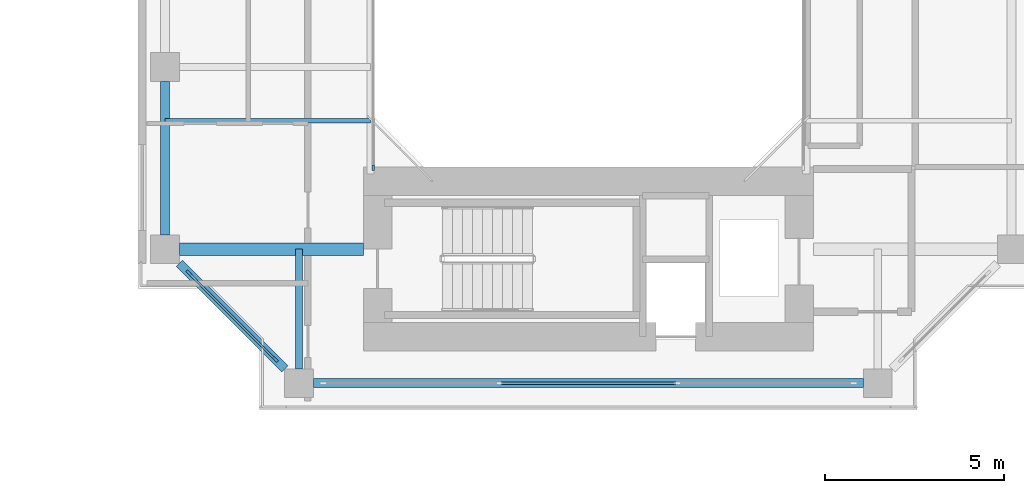
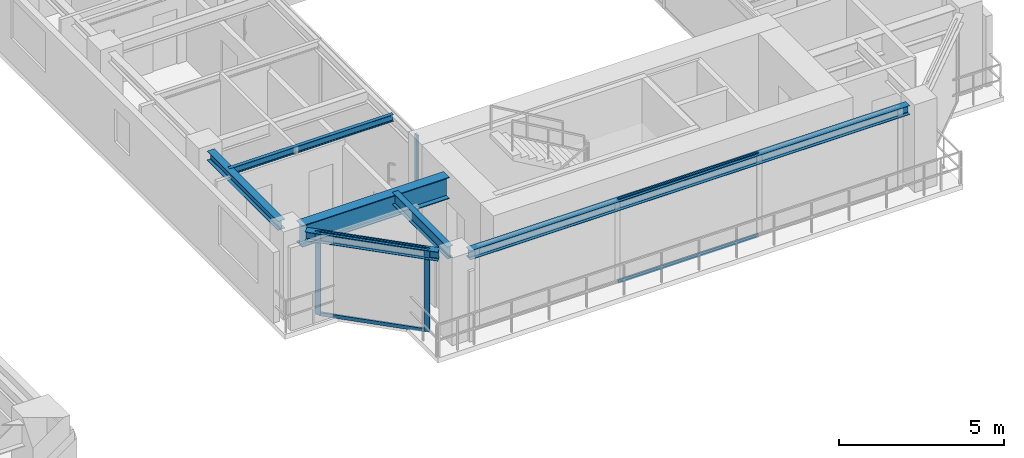
# One storey, part 6 of 23: 7 members, 6 beams, 3 elements without a shape of their own.
"""IFC4 building model written with IfcOpenShell, lengths in metres."""

from ifc_helpers import new_model, si_unit, direction, frame, origin, origin_2d, place, context, subcontext, project, spatial, rectangle, i_section, extrude, source, transform, mapped, material, layer, layer_set, material_profile, profile_set, type_object, element, aggregate, save


model = new_model("IFC4")

# Units and contexts
model_context = context("Model", 3, precision=1e-05, world=origin(), true_north=direction((0.0, 1.0)))
body_context = subcontext(model_context, "Body", "Model", "MODEL_VIEW")
ifc_project = project(units=[si_unit("LENGTHUNIT", "METRE"), si_unit("AREAUNIT", "SQUARE_METRE"), si_unit("VOLUMEUNIT", "CUBIC_METRE"), si_unit("PLANEANGLEUNIT", "RADIAN"), si_unit("MASSUNIT", "GRAM", prefix="KILO"), si_unit("THERMODYNAMICTEMPERATUREUNIT", "KELVIN"), si_unit("POWERUNIT", "WATT")], contexts=[model_context])

# Site, building, storey
site_placement = place(None, origin())
site = spatial("IfcSite", under=ifc_project, at=site_placement, CompositionType="ELEMENT")
building_placement = place(site_placement, origin())
building = spatial("IfcBuilding", under=site, at=building_placement, Name="Qiaomeng Ring Towers", CompositionType="ELEMENT")
storey_placement = place(building_placement, frame((0.0, 0.0, 86.0)))
storey = spatial("IfcBuildingStorey", under=building, at=storey_placement, Name="L24", CompositionType="ELEMENT", Elevation=86.0)

# Beams
ifc_material_1 = material(Name="Steel Q355B", Category="steel")
ifc_material_profile_1 = material_profile(ifc_material_1, i_section(OverallWidth=0.25, OverallDepth=0.340087890625, WebThickness=0.009033203125, FlangeThickness=0.013916015625, FilletRadius=0.02001953125, at=origin_2d()), Name="HM 340x250x9x14")
ifc_profile_set_1 = profile_set([ifc_material_profile_1], Name="Steel Q355B")
beam_type_1 = type_object("IfcBeamType", Name="STR-BM-HM340", PredefinedType="SPANDREL", material=ifc_profile_set_1)
shared_shape_1 = source(origin(), body_context, "Body", "SweptSolid", [
    extrude(i_section(OverallWidth=0.25, OverallDepth=0.340087890625, WebThickness=0.009033203125, FlangeThickness=0.013916015625, FilletRadius=0.02001953125, at=origin_2d()), origin(), (0.0, 0.0, 1.0), 15.40185546875),
])
beam_1_placement = place(storey_placement, frame((52.799072265625, 11.14990234375, 2.89990234375), z_axis=(1.0, 0.0, 0.0), x_axis=(0.0, 1.0, 0.0)))
element("IfcBeam", 1, at=beam_1_placement, inside=storey, type_object=beam_type_1, Name="L24 beam STR-SP-L24-T2-S1-S2", PredefinedType="SPANDREL", context=body_context, shape_type="MappedRepresentation", body=[
    mapped(shared_shape_1, transform((0.0, 0.0, 0.0), x_axis=(1.0, 0.0, 0.0), y_axis=(0.0, 1.0, 0.0), z_axis=(0.0, 0.0, 1.0), scale=1.0)),
])
shared_shape_2 = source(origin(), body_context, "Body", "SweptSolid", [
    extrude(i_section(OverallWidth=0.25, OverallDepth=0.340087890625, WebThickness=0.009033203125, FlangeThickness=0.013916015625, FilletRadius=0.02001953125, at=origin_2d()), origin(), (0.0, 0.0, 1.0), 4.173828125),
])
beam_2_placement = place(storey_placement, frame((49.04931640625, 14.500732421875, 2.89990234375), z_axis=(0.707106781187, -0.707106781187, 0.0), x_axis=(0.707106781187, 0.707106781187, 0.0)))
element("IfcBeam", 2, at=beam_2_placement, inside=storey, type_object=beam_type_1, Name="L24 beam STR-SP-L24-T2-W1-S1", PredefinedType="SPANDREL", context=body_context, shape_type="MappedRepresentation", body=[
    mapped(shared_shape_2, transform((0.0, 0.0, 0.0), x_axis=(1.0, 0.0, 0.0), y_axis=(0.0, 1.0, 0.0), z_axis=(0.0, 0.0, 1.0), scale=1.0)),
])
shared_shape_3 = source(origin(), body_context, "Body", "SweptSolid", [
    extrude(i_section(OverallWidth=0.25, OverallDepth=0.340087890625, WebThickness=0.009033203125, FlangeThickness=0.013916015625, FilletRadius=0.02001953125, at=origin_2d()), origin(), (0.0, 0.0, 1.0), 4.302001953125),
])
beam_3_placement = place(storey_placement, frame((48.64990234375, 19.60107421875, 2.89990234375), z_axis=(0.0, -1.0, 0.0), x_axis=(1.0, 0.0, 0.0)))
element("IfcBeam", 3, at=beam_3_placement, inside=storey, type_object=beam_type_1, Name="L24 beam STR-SP-L24-T2-W2-W1", PredefinedType="SPANDREL", context=body_context, shape_type="MappedRepresentation", body=[
    mapped(shared_shape_3, transform((0.0, 0.0, 0.0), x_axis=(1.0, 0.0, 0.0), y_axis=(0.0, 1.0, 0.0), z_axis=(0.0, 0.0, 1.0), scale=1.0)),
])
ifc_material_2 = material(Name="Steel Q390GJC", Category="steel")
ifc_material_profile_2 = material_profile(ifc_material_2, i_section(OverallWidth=0.35009765625, OverallDepth=0.800048828125, WebThickness=0.01611328125, FlangeThickness=0.028076171875, at=origin_2d()), Name="WH 800x350x16x28")
ifc_profile_set_2 = profile_set([ifc_material_profile_2], Name="Steel Q390GJC")
beam_type_2 = type_object("IfcBeamType", Name="STR-BM-WH800", PredefinedType="BEAM", material=ifc_profile_set_2)
shared_shape_4 = source(origin(), body_context, "Body", "SweptSolid", [
    extrude(i_section(OverallWidth=0.35009765625, OverallDepth=0.800048828125, WebThickness=0.01611328125, FlangeThickness=0.028076171875, at=origin_2d()), origin(), (0.0, 0.0, 1.0), 5.15087890625),
])
beam_4_placement = place(storey_placement, frame((49.049072265625, 14.89990234375, 2.669921875), z_axis=(1.0, 0.0, 0.0), x_axis=(0.0, 1.0, 0.0)))
element("IfcBeam", 4, at=beam_4_placement, inside=storey, type_object=beam_type_2, Name="L24 beam STR-BM-L24-T2-RAD-W1", PredefinedType="BEAM", context=body_context, shape_type="MappedRepresentation", body=[
    mapped(shared_shape_4, transform((0.0, 0.0, 0.0), x_axis=(1.0, 0.0, 0.0), y_axis=(0.0, 1.0, 0.0), z_axis=(0.0, 0.0, 1.0), scale=1.0)),
])
ifc_material_profile_3 = material_profile(ifc_material_1, i_section(OverallWidth=0.199951171875, OverallDepth=0.449951171875, WebThickness=0.009033203125, FlangeThickness=0.013916015625, FilletRadius=0.01806640625, at=origin_2d()), Name="HN 450x200x9x14")
ifc_profile_set_3 = profile_set([ifc_material_profile_3], Name="Steel Q355B")
beam_type_3 = type_object("IfcBeamType", Name="STR-BM-HN450", PredefinedType="SPANDREL", material=ifc_profile_set_3)
shared_shape_5 = source(origin(), body_context, "Body", "SweptSolid", [
    extrude(i_section(OverallWidth=0.199951171875, OverallDepth=0.449951171875, WebThickness=0.009033203125, FlangeThickness=0.013916015625, FilletRadius=0.01806640625, at=origin_2d()), origin(), (0.0, 0.0, 1.0), 3.350830078125),
])
beam_5_placement = place(storey_placement, frame((52.39990234375, 11.549072265625, 2.844970703125), z_axis=(0.0, 1.0, 0.0), x_axis=(-1.0, 0.0, 0.0)))
element("IfcBeam", 5, at=beam_5_placement, inside=storey, type_object=beam_type_3, Name="L24 beam STR-BM-L24-T2-RAD-S1", PredefinedType="SPANDREL", context=body_context, shape_type="MappedRepresentation", body=[
    mapped(shared_shape_5, transform((0.0, 0.0, 0.0), x_axis=(1.0, 0.0, 0.0), y_axis=(0.0, 1.0, 0.0), z_axis=(0.0, 0.0, 1.0), scale=1.0)),
])
ifc_material_profile_4 = material_profile(ifc_material_1, i_section(OverallWidth=0.125, OverallDepth=0.25, WebThickness=0.006103515625, FlangeThickness=0.009033203125, FilletRadius=0.011962890625, at=origin_2d()), Name="HN 250x125x6x9")
ifc_profile_set_4 = profile_set([ifc_material_profile_4], Name="Steel Q355B")
beam_type_4 = type_object("IfcBeamType", Name="STR-BM-HN250", PredefinedType="JOIST", material=ifc_profile_set_4)
shared_shape_6 = source(origin(), body_context, "Body", "SweptSolid", [
    extrude(i_section(OverallWidth=0.125, OverallDepth=0.25, WebThickness=0.006103515625, FlangeThickness=0.009033203125, FilletRadius=0.011962890625, at=origin_2d()), origin(), (0.0, 0.0, 1.0), 5.75),
])
beam_6_placement = place(storey_placement, frame((48.64990234375, 18.5, 2.945068359375), z_axis=(1.0, 0.0, 0.0), x_axis=(0.0, 1.0, 0.0)))
element("IfcBeam", 6, at=beam_6_placement, inside=storey, type_object=beam_type_4, Name="L24 beam STR-JST-L24-T2W-1", PredefinedType="JOIST", context=body_context, shape_type="MappedRepresentation", body=[
    mapped(shared_shape_6, transform((0.0, 0.0, 0.0), x_axis=(1.0, 0.0, 0.0), y_axis=(0.0, 1.0, 0.0), z_axis=(0.0, 0.0, 1.0), scale=1.0)),
])

# Curtain wall, member
ifc_material_3 = material(Name="Fluorocarbon dark-grey aluminium", Category="aluminium")
ifc_layer_1 = layer(ifc_material_3, 0.139892578125, Name="Fluorocarbon dark-grey aluminium")
ifc_layer_set_1 = layer_set([ifc_layer_1], Name="Fluorocarbon dark-grey aluminium")
curtain_wall_type_1 = type_object("IfcCurtainWallType", Name="ARC-CW-4", PredefinedType="NOTDEFINED", material=ifc_layer_set_1)
curtain_wall_1_placement = place(storey_placement, origin())
curtain_wall_1 = element("IfcCurtainWall", 7, at=curtain_wall_1_placement, inside=storey, type_object=curtain_wall_type_1, Name="L24 Curtain Wall CW4", PredefinedType="NOTDEFINED")
ifc_material_profile_5 = material_profile(ifc_material_3, rectangle(XDim=0.06494140625, YDim=0.159912109375, at=origin_2d()), Name="ALU MULL 65x160")
ifc_profile_set_5 = profile_set([ifc_material_profile_5], Name="Fluorocarbon dark-grey aluminium")
member_type_1 = type_object("IfcMemberType", Name="ARC-CWM-140", PredefinedType="MULLION", material=ifc_profile_set_5)
shared_shape_7 = source(origin(), body_context, "Body", "SweptSolid", [
    extrude(rectangle(XDim=0.06494140625, YDim=0.159912109375, at=origin_2d()), origin(), (0.0, 0.0, 1.0), 3.070068359375),
])
member_1_placement = place(storey_placement, frame((54.47998046875, 17.1826171875, 0.0), z_axis=(0.0, 0.0, 1.0), x_axis=(-1.0, 0.0, 0.0)))
member_1 = element("IfcMember", 8, at=member_1_placement, type_object=member_type_1, Name="CW4 mullion 1", PredefinedType="MULLION", context=body_context, shape_type="MappedRepresentation", body=[
    mapped(shared_shape_7, transform((0.0, 0.0, 0.0), x_axis=(1.0, 0.0, 0.0), y_axis=(0.0, 1.0, 0.0), z_axis=(0.0, 0.0, 1.0), scale=1.0)),
])
aggregate(curtain_wall_1, [member_1])

# Curtain wall, members
ifc_layer_2 = layer(ifc_material_3, 0.14990234375, Name="Fluorocarbon dark-grey aluminium")
ifc_layer_set_2 = layer_set([ifc_layer_2], Name="Fluorocarbon dark-grey aluminium")
curtain_wall_type_2 = type_object("IfcCurtainWallType", Name="ARC-CW-5", PredefinedType="NOTDEFINED", material=ifc_layer_set_2)
curtain_wall_2_placement = place(storey_placement, origin())
curtain_wall_2 = element("IfcCurtainWall", 9, at=curtain_wall_2_placement, inside=storey, type_object=curtain_wall_type_2, Name="L24 Curtain Wall CW5", PredefinedType="NOTDEFINED")
ifc_material_profile_6 = material_profile(ifc_material_3, rectangle(XDim=0.070068359375, YDim=0.179931640625, at=origin_2d()), Name="ALU MULL 70x180")
ifc_profile_set_6 = profile_set([ifc_material_profile_6], Name="Fluorocarbon dark-grey aluminium")
member_type_2 = type_object("IfcMemberType", Name="ARC-CWM-160", PredefinedType="MULLION", material=ifc_profile_set_6)
shared_shape_8 = source(origin(), body_context, "Body", "SweptSolid", [
    extrude(rectangle(XDim=0.070068359375, YDim=0.179931640625, at=origin_2d()), origin(), (0.0, 0.0, 1.0), 3.070068359375),
])
member_2_placement = place(storey_placement, frame((49.314697265625, 14.2353515625, 0.0), z_axis=(0.0, 0.0, 1.0), x_axis=(0.707106781187, 0.707106781187, 0.0)))
member_2 = element("IfcMember", 10, at=member_2_placement, type_object=member_type_2, Name="CW5 mullion 1", PredefinedType="MULLION", context=body_context, shape_type="MappedRepresentation", body=[
    mapped(shared_shape_8, transform((0.0, 0.0, 0.0), x_axis=(1.0, 0.0, 0.0), y_axis=(0.0, 1.0, 0.0), z_axis=(0.0, 0.0, 1.0), scale=1.0)),
])
member_3_placement = place(storey_placement, frame((51.7353515625, 11.814697265625, 0.0), z_axis=(0.0, 0.0, 1.0), x_axis=(0.707106781187, 0.707106781187, 0.0)))
member_3 = element("IfcMember", 11, at=member_3_placement, type_object=member_type_2, Name="CW5 mullion 2", PredefinedType="MULLION", context=body_context, shape_type="MappedRepresentation", body=[
    mapped(shared_shape_8, transform((0.0, 0.0, 0.0), x_axis=(1.0, 0.0, 0.0), y_axis=(0.0, 1.0, 0.0), z_axis=(0.0, 0.0, 1.0), scale=1.0)),
])

curtain_wall_3_placement = place(storey_placement, origin())
curtain_wall_3 = element("IfcCurtainWall", 12, at=curtain_wall_3_placement, inside=storey, type_object=curtain_wall_type_2, Name="L24 Curtain Wall CW5", PredefinedType="NOTDEFINED")
ifc_material_profile_7 = material_profile(ifc_material_3, rectangle(XDim=0.06494140625, YDim=0.1298828125, at=origin_2d()), Name="ALU TRAN 65x130")
ifc_profile_set_7 = profile_set([ifc_material_profile_7], Name="Fluorocarbon dark-grey aluminium")
member_type_3 = type_object("IfcMemberType", Name="ARC-CWT-120", PredefinedType="USERDEFINED", material=ifc_profile_set_7)
shared_shape_9 = source(origin(), body_context, "Body", "SweptSolid", [
    extrude(rectangle(XDim=0.06494140625, YDim=0.1298828125, at=origin_2d()), origin(), (0.0, 0.0, 1.0), 4.9033203125),
])
member_4_placement = place(storey_placement, frame((58.04833984375, 11.14990234375, 0.032470703125), z_axis=(1.0, 0.0, 0.0), x_axis=(0.0, 1.0, 0.0)))
member_4 = element("IfcMember", 13, at=member_4_placement, type_object=member_type_3, Name="CW5 transom 2.1", ObjectType="TRANSOM", PredefinedType="USERDEFINED", context=body_context, shape_type="MappedRepresentation", body=[
    mapped(shared_shape_9, transform((0.0, 0.0, 0.0), x_axis=(1.0, 0.0, 0.0), y_axis=(0.0, 1.0, 0.0), z_axis=(0.0, 0.0, 1.0), scale=1.0)),
])
member_5_placement = place(storey_placement, frame((58.04833984375, 11.14990234375, 3.03759765625), z_axis=(1.0, 0.0, 0.0), x_axis=(0.0, 1.0, 0.0)))
member_5 = element("IfcMember", 14, at=member_5_placement, type_object=member_type_3, Name="CW5 transom 2.2", ObjectType="TRANSOM", PredefinedType="USERDEFINED", context=body_context, shape_type="MappedRepresentation", body=[
    mapped(shared_shape_9, transform((0.0, 0.0, 0.0), x_axis=(1.0, 0.0, 0.0), y_axis=(0.0, 1.0, 0.0), z_axis=(0.0, 0.0, 1.0), scale=1.0)),
])
aggregate(curtain_wall_3, [member_4, member_5])

# Member
shared_shape_10 = source(origin(), body_context, "Body", "SweptSolid", [
    extrude(rectangle(XDim=0.06494140625, YDim=0.1298828125, at=origin_2d()), origin(), (0.0, 0.0, 1.0), 3.352783203125),
])
member_6_placement = place(storey_placement, frame((49.339599609375, 14.21044921875, 0.032470703125), z_axis=(0.707106781187, -0.707106781187, 0.0), x_axis=(0.707106781187, 0.707106781187, 0.0)))
member_6 = element("IfcMember", 15, at=member_6_placement, type_object=member_type_3, Name="CW5 transom 1.1", ObjectType="TRANSOM", PredefinedType="USERDEFINED", context=body_context, shape_type="MappedRepresentation", body=[
    mapped(shared_shape_10, transform((0.0, 0.0, 0.0), x_axis=(1.0, 0.0, 0.0), y_axis=(0.0, 1.0, 0.0), z_axis=(0.0, 0.0, 1.0), scale=1.0)),
])

member_7_placement = place(storey_placement, frame((49.339599609375, 14.21044921875, 3.03759765625), z_axis=(0.707106781187, -0.707106781187, 0.0), x_axis=(0.707106781187, 0.707106781187, 0.0)))
member_7 = element("IfcMember", 16, at=member_7_placement, type_object=member_type_3, Name="CW5 transom 1.2", ObjectType="TRANSOM", PredefinedType="USERDEFINED", context=body_context, shape_type="MappedRepresentation", body=[
    mapped(shared_shape_10, transform((0.0, 0.0, 0.0), x_axis=(1.0, 0.0, 0.0), y_axis=(0.0, 1.0, 0.0), z_axis=(0.0, 0.0, 1.0), scale=1.0)),
])

aggregate(curtain_wall_2, [member_2, member_3, member_6, member_7])

save(model, "model.ifc")
